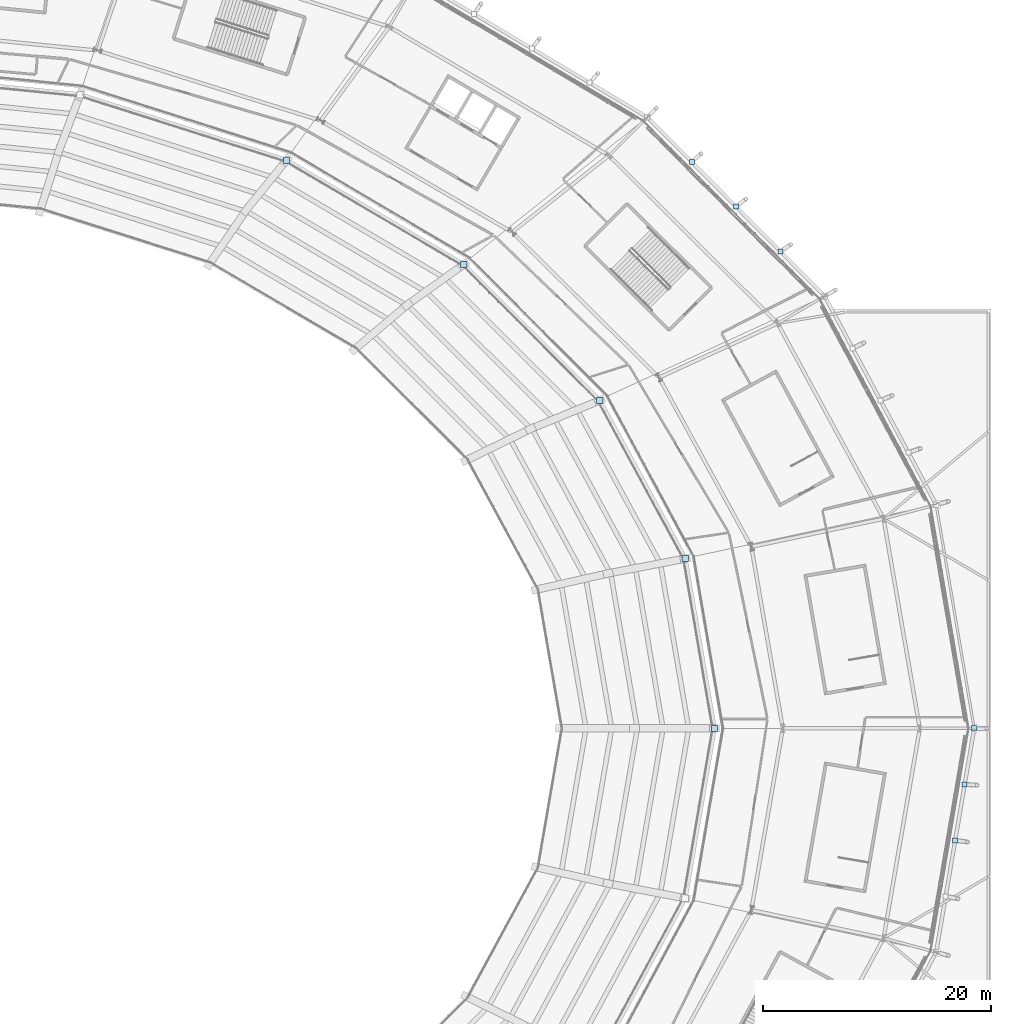
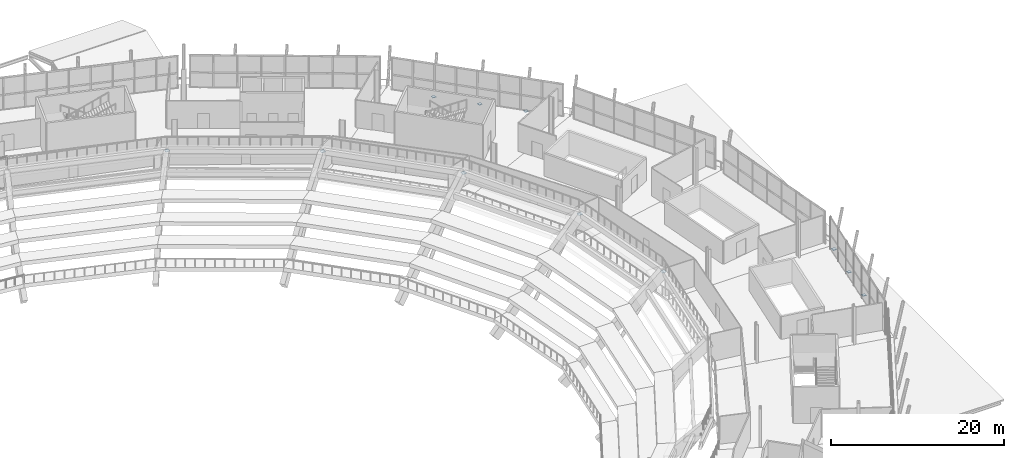
# One storey, part 86 of 126: 11 plates.
"""IFC4 building model written with IfcOpenShell, lengths in metres."""

from ifc_helpers import new_model, si_unit, direction, frame, origin, origin_2d, place, context, subcontext, project, spatial, rectangle, extrude, material, layer, layer_set, type_object, element, save


model = new_model("IFC4")

# Units and contexts
model_context = context("Model", 3, precision=1e-05, world=origin(), true_north=direction((0.0, 1.0)))
body_context = subcontext(model_context, "Body", "Model", "MODEL_VIEW")
ifc_project = project(units=[si_unit("LENGTHUNIT", "METRE"), si_unit("AREAUNIT", "SQUARE_METRE"), si_unit("VOLUMEUNIT", "CUBIC_METRE"), si_unit("PLANEANGLEUNIT", "RADIAN"), si_unit("MASSUNIT", "GRAM", prefix="KILO")], contexts=[model_context])

# Site, building, storey
site_placement = place(None, origin())
site = spatial("IfcSite", under=ifc_project, at=site_placement, CompositionType="ELEMENT")
building_placement = place(site_placement, origin())
building = spatial("IfcBuilding", under=site, at=building_placement, Name="Zlatoyarsky Gate Stadium", CompositionType="ELEMENT")
storey_placement = place(building_placement, frame((0.0, 0.0, 20.800048828125)))
storey = spatial("IfcBuildingStorey", under=building, at=storey_placement, Name="L04", CompositionType="ELEMENT", Elevation=20.800048828125)

# Plates
ifc_material = material(Name="Steel S355", Category="steel")
ifc_layer = layer(ifc_material, 0.02392578125)
ifc_layer_set = layer_set([ifc_layer], Name="Steel S355")
plate_type = type_object("IfcPlateType", Name="STEEL HOLLOW CHORD SPLICE SHEET 24", PredefinedType="SHEET", material=ifc_layer_set)
plate_placement = place(storey_placement, frame((208.76953125, 80.0, -0.612060546875), z_axis=(0.0, 0.0, 1.0), x_axis=(1.0, 0.0, 0.0)))
element("IfcPlate", 1, at=plate_placement, inside=storey, type_object=plate_type, Name="Node closure plate ND-SP1 NCAP-L04-RSTR-00", PredefinedType="SHEET", context=body_context, shape_type="SweptSolid", body=[
    extrude(rectangle(XDim=0.47998046875, YDim=0.47998046875, at=origin_2d()), origin(), (0.0, 0.0, 1.0), 0.02392578125),
])
for number, where, z_axis, x_axis, name in (
    (2, (186.0, 80.0, 4.177978515625), (0.0, 0.0, 1.0), (1.0, 0.0, 0.0), "Node closure plate ND-SP1 NCAP-UTOP-00"),
    (3, (183.4443359375, 94.882080078125, 4.177978515625), (0.0, 0.0, 1.0), (1.0, 0.0, 0.0), "Node closure plate ND-SP1 NCAP-UTOP-01"),
    (4, (175.951904296875, 108.75, 4.177978515625), (0.0, 0.0, 1.0), (1.0, 0.0, 0.0), "Node closure plate ND-SP1 NCAP-UTOP-02"),
    (5, (164.032958984375, 120.65869140625, 4.177978515625), (0.0, 0.0, 1.0), (1.0, 0.0, 0.0), "Node closure plate ND-SP1 NCAP-UTOP-03"),
    (6, (148.5, 129.79638671875, 4.177978515625), (0.0, 0.0, 1.0), (1.0, 0.0, 0.0), "Node closure plate ND-SP1 NCAP-UTOP-04"),
):
    element("IfcPlate", number, at=place(storey_placement, frame(where, z_axis=z_axis, x_axis=x_axis)), inside=storey, type_object=plate_type, Name=name, PredefinedType="SHEET", context=body_context, shape_type="SweptSolid", body=[
        extrude(rectangle(XDim=0.5400390625, YDim=0.5400390625, at=origin_2d()), origin(), (0.0, 0.0, 1.0), 0.02392578125),
    ])
for number, where, z_axis, x_axis, name in (
    (7, (191.78662109375, 121.807861328125, -0.56201171875), (0.0, 0.0, 1.0), (1.0, 0.0, 0.0), "Node closure plate ND-SP1 NCAP-RIB-02-1-2T"),
    (8, (187.902099609375, 125.73095703125, -0.56201171875), (0.0, 0.0, 1.0), (1.0, 0.0, 0.0), "Node closure plate ND-SP1 NCAP-RIB-02-2-2T"),
    (9, (184.017822265625, 129.654052734375, -0.56201171875), (0.0, 0.0, 1.0), (1.0, 0.0, 0.0), "Node closure plate ND-SP1 NCAP-RIB-02-3-2T"),
    (10, (207.10400390625, 70.194580078125, -0.56201171875), (0.0, 0.0, 1.0), (1.0, 0.0, 0.0), "Node closure plate ND-SP1 NCAP-RIB-23-2-2T"),
    (11, (207.936767578125, 75.097412109375, -0.56201171875), (0.0, 0.0, 1.0), (1.0, 0.0, 0.0), "Node closure plate ND-SP1 NCAP-RIB-23-3-2T"),
):
    element("IfcPlate", number, at=place(storey_placement, frame(where, z_axis=z_axis, x_axis=x_axis)), inside=storey, type_object=plate_type, Name=name, PredefinedType="SHEET", context=body_context, shape_type="SweptSolid", body=[
        extrude(rectangle(XDim=0.43994140625, YDim=0.43994140625, at=origin_2d()), origin(), (0.0, 0.0, 1.0), 0.02392578125),
    ])

save(model, "model.ifc")
